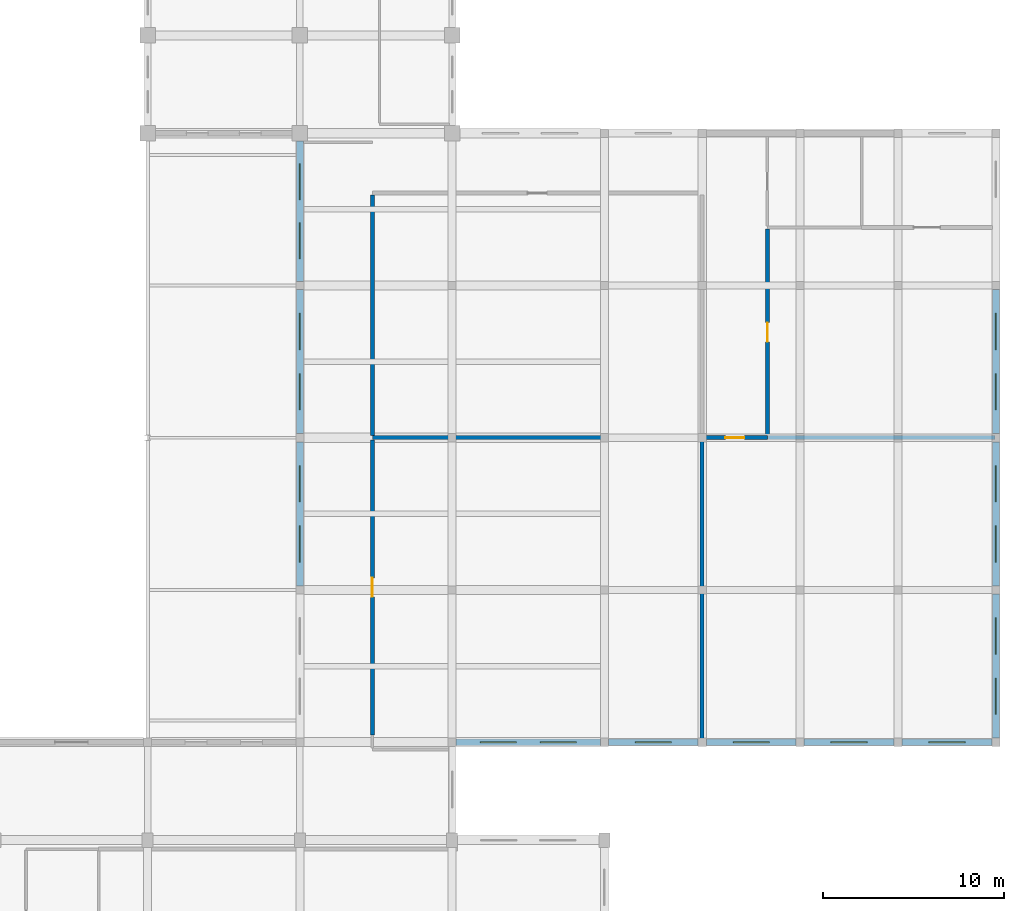
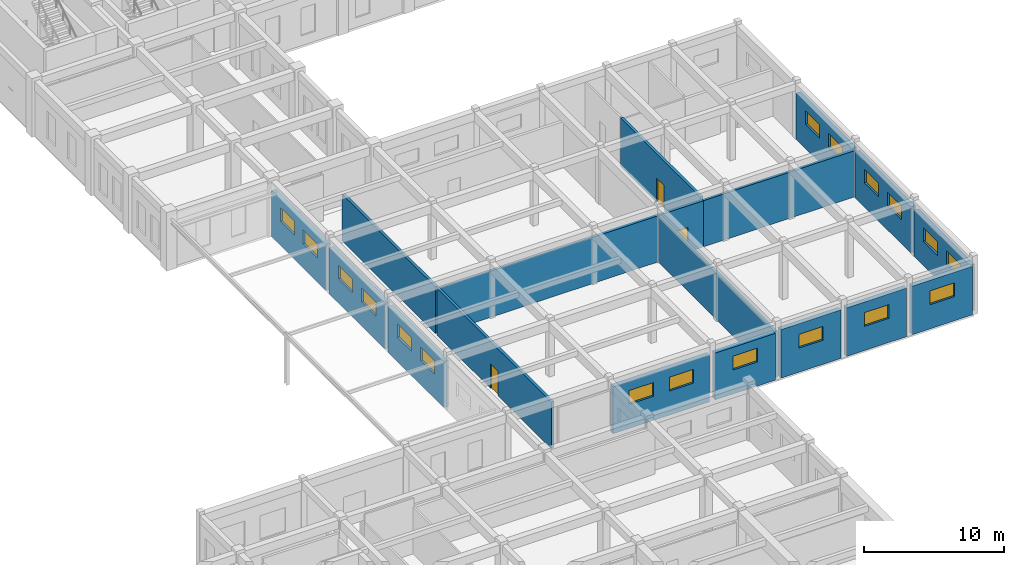
# One storey, part 66 of 80: 18 walls, 18 windows, 3 doors, 21 openings.
"""IFC4 building model written with IfcOpenShell, lengths in metres."""

from ifc_helpers import new_model, si_unit, direction, frame, frame_2d, origin, place, context, subcontext, project, spatial, rectangle, extrude, material, layer, layer_set, type_object, element, fill, save


model = new_model("IFC4")

# Units and contexts
model_context = context("Model", 3, precision=1e-05, world=origin(), true_north=direction((0.0, 1.0)))
body_context = subcontext(model_context, "Body", "Model", "MODEL_VIEW")
ifc_project = project(units=[si_unit("LENGTHUNIT", "METRE"), si_unit("AREAUNIT", "SQUARE_METRE"), si_unit("VOLUMEUNIT", "CUBIC_METRE"), si_unit("PLANEANGLEUNIT", "RADIAN"), si_unit("MASSUNIT", "GRAM", prefix="KILO")], contexts=[model_context])

# Site, building, storey
site_placement = place(None, origin())
site = spatial("IfcSite", under=ifc_project, at=site_placement, CompositionType="ELEMENT")
building_placement = place(site_placement, origin())
building = spatial("IfcBuilding", under=site, at=building_placement, Name="Krzemoval Escarpment Law Courts", CompositionType="ELEMENT")
storey_placement = place(building_placement, origin())
storey = spatial("IfcBuildingStorey", under=building, at=storey_placement, Name="L00", CompositionType="ELEMENT", Elevation=0.0)

# Wall, openings, windows
ifc_material_1 = material(Name="Concrete C40/50", Category="concrete")
ifc_layer_1 = layer(ifc_material_1, 0.3798828125)
ifc_layer_set_1 = layer_set([ifc_layer_1], Name="Concrete C40/50")
wall_type_1 = type_object("IfcWallType", Name="WL-EXT-380", PredefinedType="SOLIDWALL", material=ifc_layer_set_1)
wall_1_placement = place(storey_placement, frame((172.800048828125, 65.77490234375, 0.0), z_axis=(0.0, 0.0, 1.0), x_axis=(0.0, -1.0, 0.0)))
wall_1 = element("IfcWall", 1, at=wall_1_placement, inside=storey, type_object=wall_type_1, Name="Exterior Wall EW-L00-0115", PredefinedType="SOLIDWALL", context=body_context, shape_type="SweptSolid", body=[
    extrude(rectangle(XDim=7.949951171875, YDim=0.3798828125, at=frame_2d((3.97509765625, 0.0))), origin(), (0.0, 0.0, 1.0), 4.02001953125),
])
opening_1_placement = place(wall_1_placement, frame((1.31689453125, 0.0, 2.10009765625)))
opening_1 = element("IfcOpeningElement", 2, at=opening_1_placement, cuts=wall_1, Name="Opening WN-L00-0061", PredefinedType="OPENING", context=body_context, shape_type="SweptSolid", body=[
    extrude(rectangle(XDim=2.0, YDim=1.199951171875, at=frame_2d((1.0, 0.60009765625))), frame((0.0, 0.20494, 0.0), z_axis=(0.0, -1.0, 0.0), x_axis=(1.0, 0.0, 0.0)), (0.0, 0.0, 1.0), 0.40988),
])
opening_2_placement = place(wall_1_placement, frame((4.633056640625, 0.0, 2.10009765625)))
opening_2 = element("IfcOpeningElement", 3, at=opening_2_placement, cuts=wall_1, Name="Opening WN-L00-0062", PredefinedType="OPENING", context=body_context, shape_type="SweptSolid", body=[
    extrude(rectangle(XDim=2.0, YDim=1.199951171875, at=frame_2d((1.0, 0.60009765625))), frame((0.0, 0.20494, 0.0), z_axis=(0.0, -1.0, 0.0), x_axis=(1.0, 0.0, 0.0)), (0.0, 0.0, 1.0), 0.40988),
])
ifc_material_2 = material(Name="Thermally Broken Aluminium Frame with Triple Low-E Acoustic Glass", Category="aluminium")
window_type = type_object("IfcWindowType", Name="WN-2000x1200", PartitioningType="SINGLE_PANEL", PredefinedType="WINDOW", material=ifc_material_2)
window_1_placement = place(opening_1_placement, origin())
window_1 = element("IfcWindow", 4, at=window_1_placement, inside=storey, type_object=window_type, Name="Facade Window WN-L00-0061", OverallHeight=1.199951171875, OverallWidth=2.0, PartitioningType="SINGLE_PANEL", PredefinedType="WINDOW", context=body_context, shape_type="SweptSolid", body=[
    extrude(rectangle(XDim=2.0, YDim=1.199951171875, at=frame_2d((1.0, 0.60009765625))), frame((0.0, 0.030029296875, 0.0), z_axis=(0.0, -1.0, 0.0), x_axis=(1.0, 0.0, 0.0)), (0.0, 0.0, 1.0), 0.06005859375),
])
fill(opening_1, window_1)
window_2_placement = place(opening_2_placement, origin())
window_2 = element("IfcWindow", 5, at=window_2_placement, inside=storey, type_object=window_type, Name="Facade Window WN-L00-0062", OverallHeight=1.199951171875, OverallWidth=2.0, PartitioningType="SINGLE_PANEL", PredefinedType="WINDOW", context=body_context, shape_type="SweptSolid", body=[
    extrude(rectangle(XDim=2.0, YDim=1.199951171875, at=frame_2d((1.0, 0.60009765625))), frame((0.0, 0.030029296875, 0.0), z_axis=(0.0, -1.0, 0.0), x_axis=(1.0, 0.0, 0.0)), (0.0, 0.0, 1.0), 0.06005859375),
])
fill(opening_2, window_2)

wall_2_placement = place(storey_placement, frame((172.800048828125, 57.375, 0.0), z_axis=(0.0, 0.0, 1.0), x_axis=(0.0, -1.0, 0.0)))
wall_2 = element("IfcWall", 6, at=wall_2_placement, inside=storey, type_object=wall_type_1, Name="Exterior Wall EW-L00-0116", PredefinedType="SOLIDWALL", context=body_context, shape_type="SweptSolid", body=[
    extrude(rectangle(XDim=7.949951171875, YDim=0.3798828125, at=frame_2d((3.97509765625, 0.0))), origin(), (0.0, 0.0, 1.0), 4.02001953125),
])
opening_3_placement = place(wall_2_placement, frame((1.31689453125, 0.0, 2.10009765625)))
opening_3 = element("IfcOpeningElement", 7, at=opening_3_placement, cuts=wall_2, Name="Opening WN-L00-0063", PredefinedType="OPENING", context=body_context, shape_type="SweptSolid", body=[
    extrude(rectangle(XDim=2.0, YDim=1.199951171875, at=frame_2d((1.0, 0.60009765625))), frame((0.0, 0.20494, 0.0), z_axis=(0.0, -1.0, 0.0), x_axis=(1.0, 0.0, 0.0)), (0.0, 0.0, 1.0), 0.40988),
])
opening_4_placement = place(wall_2_placement, frame((4.633056640625, 0.0, 2.10009765625)))
opening_4 = element("IfcOpeningElement", 8, at=opening_4_placement, cuts=wall_2, Name="Opening WN-L00-0064", PredefinedType="OPENING", context=body_context, shape_type="SweptSolid", body=[
    extrude(rectangle(XDim=2.0, YDim=1.199951171875, at=frame_2d((1.0, 0.60009765625))), frame((0.0, 0.20494, 0.0), z_axis=(0.0, -1.0, 0.0), x_axis=(1.0, 0.0, 0.0)), (0.0, 0.0, 1.0), 0.40988),
])
window_3_placement = place(opening_3_placement, origin())
window_3 = element("IfcWindow", 9, at=window_3_placement, inside=storey, type_object=window_type, Name="Facade Window WN-L00-0063", OverallHeight=1.199951171875, OverallWidth=2.0, PartitioningType="SINGLE_PANEL", PredefinedType="WINDOW", context=body_context, shape_type="SweptSolid", body=[
    extrude(rectangle(XDim=2.0, YDim=1.199951171875, at=frame_2d((1.0, 0.60009765625))), frame((0.0, 0.030029296875, 0.0), z_axis=(0.0, -1.0, 0.0), x_axis=(1.0, 0.0, 0.0)), (0.0, 0.0, 1.0), 0.06005859375),
])
fill(opening_3, window_3)
window_4_placement = place(opening_4_placement, origin())
window_4 = element("IfcWindow", 10, at=window_4_placement, inside=storey, type_object=window_type, Name="Facade Window WN-L00-0064", OverallHeight=1.199951171875, OverallWidth=2.0, PartitioningType="SINGLE_PANEL", PredefinedType="WINDOW", context=body_context, shape_type="SweptSolid", body=[
    extrude(rectangle(XDim=2.0, YDim=1.199951171875, at=frame_2d((1.0, 0.60009765625))), frame((0.0, 0.030029296875, 0.0), z_axis=(0.0, -1.0, 0.0), x_axis=(1.0, 0.0, 0.0)), (0.0, 0.0, 1.0), 0.06005859375),
])
fill(opening_4, window_4)

wall_3_placement = place(storey_placement, frame((172.800048828125, 48.97509765625, 0.0), z_axis=(0.0, 0.0, 1.0), x_axis=(0.0, -1.0, 0.0)))
wall_3 = element("IfcWall", 11, at=wall_3_placement, inside=storey, type_object=wall_type_1, Name="Exterior Wall EW-L00-0117", PredefinedType="SOLIDWALL", context=body_context, shape_type="SweptSolid", body=[
    extrude(rectangle(XDim=7.9501953125, YDim=0.3798828125, at=frame_2d((3.97509765625, 0.0))), origin(), (0.0, 0.0, 1.0), 4.02001953125),
])
opening_5_placement = place(wall_3_placement, frame((1.31689453125, 0.0, 2.10009765625)))
opening_5 = element("IfcOpeningElement", 12, at=opening_5_placement, cuts=wall_3, Name="Opening WN-L00-0065", PredefinedType="OPENING", context=body_context, shape_type="SweptSolid", body=[
    extrude(rectangle(XDim=2.0, YDim=1.199951171875, at=frame_2d((1.0, 0.60009765625))), frame((0.0, 0.20494, 0.0), z_axis=(0.0, -1.0, 0.0), x_axis=(1.0, 0.0, 0.0)), (0.0, 0.0, 1.0), 0.40988),
])
opening_6_placement = place(wall_3_placement, frame((4.633056640625, 0.0, 2.10009765625)))
opening_6 = element("IfcOpeningElement", 13, at=opening_6_placement, cuts=wall_3, Name="Opening WN-L00-0066", PredefinedType="OPENING", context=body_context, shape_type="SweptSolid", body=[
    extrude(rectangle(XDim=2.0, YDim=1.199951171875, at=frame_2d((1.0, 0.60009765625))), frame((0.0, 0.20494, 0.0), z_axis=(0.0, -1.0, 0.0), x_axis=(1.0, 0.0, 0.0)), (0.0, 0.0, 1.0), 0.40988),
])
window_5_placement = place(opening_5_placement, origin())
window_5 = element("IfcWindow", 14, at=window_5_placement, inside=storey, type_object=window_type, Name="Facade Window WN-L00-0065", OverallHeight=1.199951171875, OverallWidth=2.0, PartitioningType="SINGLE_PANEL", PredefinedType="WINDOW", context=body_context, shape_type="SweptSolid", body=[
    extrude(rectangle(XDim=2.0, YDim=1.199951171875, at=frame_2d((1.0, 0.60009765625))), frame((0.0, 0.030029296875, 0.0), z_axis=(0.0, -1.0, 0.0), x_axis=(1.0, 0.0, 0.0)), (0.0, 0.0, 1.0), 0.06005859375),
])
fill(opening_5, window_5)
window_6_placement = place(opening_6_placement, origin())
window_6 = element("IfcWindow", 15, at=window_6_placement, inside=storey, type_object=window_type, Name="Facade Window WN-L00-0066", OverallHeight=1.199951171875, OverallWidth=2.0, PartitioningType="SINGLE_PANEL", PredefinedType="WINDOW", context=body_context, shape_type="SweptSolid", body=[
    extrude(rectangle(XDim=2.0, YDim=1.199951171875, at=frame_2d((1.0, 0.60009765625))), frame((0.0, 0.030029296875, 0.0), z_axis=(0.0, -1.0, 0.0), x_axis=(1.0, 0.0, 0.0)), (0.0, 0.0, 1.0), 0.06005859375),
])
fill(opening_6, window_6)

# Wall, opening, window
wall_4_placement = place(storey_placement, frame((172.574951171875, 40.800048828125, 0.0), z_axis=(0.0, 0.0, 1.0), x_axis=(-1.0, 0.0, 0.0)))
wall_4 = element("IfcWall", 16, at=wall_4_placement, inside=storey, type_object=wall_type_1, Name="Exterior Wall EW-L00-0118", PredefinedType="SOLIDWALL", context=body_context, shape_type="SweptSolid", body=[
    extrude(rectangle(XDim=4.949951171875, YDim=0.3798828125, at=frame_2d((2.47509765625, 0.0))), origin(), (0.0, 0.0, 1.0), 4.219970703125),
])
opening_7_placement = place(wall_4_placement, frame((1.47509765625, 0.0, 2.10009765625)))
opening_7 = element("IfcOpeningElement", 17, at=opening_7_placement, cuts=wall_4, Name="Opening WN-L00-0067", PredefinedType="OPENING", context=body_context, shape_type="SweptSolid", body=[
    extrude(rectangle(XDim=2.0, YDim=1.199951171875, at=frame_2d((1.0, 0.60009765625))), frame((0.0, 0.20494, 0.0), z_axis=(0.0, -1.0, 0.0), x_axis=(1.0, 0.0, 0.0)), (0.0, 0.0, 1.0), 0.40988),
])
window_7_placement = place(opening_7_placement, origin())
window_7 = element("IfcWindow", 18, at=window_7_placement, inside=storey, type_object=window_type, Name="Facade Window WN-L00-0067", OverallHeight=1.199951171875, OverallWidth=2.0, PartitioningType="SINGLE_PANEL", PredefinedType="WINDOW", context=body_context, shape_type="SweptSolid", body=[
    extrude(rectangle(XDim=2.0, YDim=1.199951171875, at=frame_2d((1.0, 0.60009765625))), frame((0.0, 0.030029296875, 0.0), z_axis=(0.0, -1.0, 0.0), x_axis=(1.0, 0.0, 0.0)), (0.0, 0.0, 1.0), 0.06005859375),
])
fill(opening_7, window_7)

wall_5_placement = place(storey_placement, frame((167.175048828125, 40.800048828125, 0.0), z_axis=(0.0, 0.0, 1.0), x_axis=(-1.0, 0.0, 0.0)))
wall_5 = element("IfcWall", 19, at=wall_5_placement, inside=storey, type_object=wall_type_1, Name="Exterior Wall EW-L00-0119", PredefinedType="SOLIDWALL", context=body_context, shape_type="SweptSolid", body=[
    extrude(rectangle(XDim=4.949951171875, YDim=0.3798828125, at=frame_2d((2.47509765625, 0.0))), origin(), (0.0, 0.0, 1.0), 4.219970703125),
])
opening_8_placement = place(wall_5_placement, frame((1.47509765625, 0.0, 2.10009765625)))
opening_8 = element("IfcOpeningElement", 20, at=opening_8_placement, cuts=wall_5, Name="Opening WN-L00-0068", PredefinedType="OPENING", context=body_context, shape_type="SweptSolid", body=[
    extrude(rectangle(XDim=2.0, YDim=1.199951171875, at=frame_2d((1.0, 0.60009765625))), frame((0.0, 0.20494, 0.0), z_axis=(0.0, -1.0, 0.0), x_axis=(1.0, 0.0, 0.0)), (0.0, 0.0, 1.0), 0.40988),
])
window_8_placement = place(opening_8_placement, origin())
window_8 = element("IfcWindow", 21, at=window_8_placement, inside=storey, type_object=window_type, Name="Facade Window WN-L00-0068", OverallHeight=1.199951171875, OverallWidth=2.0, PartitioningType="SINGLE_PANEL", PredefinedType="WINDOW", context=body_context, shape_type="SweptSolid", body=[
    extrude(rectangle(XDim=2.0, YDim=1.199951171875, at=frame_2d((1.0, 0.60009765625))), frame((0.0, 0.030029296875, 0.0), z_axis=(0.0, -1.0, 0.0), x_axis=(1.0, 0.0, 0.0)), (0.0, 0.0, 1.0), 0.06005859375),
])
fill(opening_8, window_8)

wall_6_placement = place(storey_placement, frame((161.77490234375, 40.800048828125, 0.0), z_axis=(0.0, 0.0, 1.0), x_axis=(-1.0, 0.0, 0.0)))
wall_6 = element("IfcWall", 22, at=wall_6_placement, inside=storey, type_object=wall_type_1, Name="Exterior Wall EW-L00-0120", PredefinedType="SOLIDWALL", context=body_context, shape_type="SweptSolid", body=[
    extrude(rectangle(XDim=4.949951171875, YDim=0.3798828125, at=frame_2d((2.47509765625, 0.0))), origin(), (0.0, 0.0, 1.0), 4.219970703125),
])
opening_9_placement = place(wall_6_placement, frame((1.47509765625, 0.0, 2.10009765625)))
opening_9 = element("IfcOpeningElement", 23, at=opening_9_placement, cuts=wall_6, Name="Opening WN-L00-0069", PredefinedType="OPENING", context=body_context, shape_type="SweptSolid", body=[
    extrude(rectangle(XDim=2.0, YDim=1.199951171875, at=frame_2d((1.0, 0.60009765625))), frame((0.0, 0.20494, 0.0), z_axis=(0.0, -1.0, 0.0), x_axis=(1.0, 0.0, 0.0)), (0.0, 0.0, 1.0), 0.40988),
])
window_9_placement = place(opening_9_placement, origin())
window_9 = element("IfcWindow", 24, at=window_9_placement, inside=storey, type_object=window_type, Name="Facade Window WN-L00-0069", OverallHeight=1.199951171875, OverallWidth=2.0, PartitioningType="SINGLE_PANEL", PredefinedType="WINDOW", context=body_context, shape_type="SweptSolid", body=[
    extrude(rectangle(XDim=2.0, YDim=1.199951171875, at=frame_2d((1.0, 0.60009765625))), frame((0.0, 0.030029296875, 0.0), z_axis=(0.0, -1.0, 0.0), x_axis=(1.0, 0.0, 0.0)), (0.0, 0.0, 1.0), 0.06005859375),
])
fill(opening_9, window_9)

wall_7_placement = place(storey_placement, frame((156.375, 40.800048828125, 0.0), z_axis=(0.0, 0.0, 1.0), x_axis=(-1.0, 0.0, 0.0)))
wall_7 = element("IfcWall", 25, at=wall_7_placement, inside=storey, type_object=wall_type_1, Name="Exterior Wall EW-L00-0121", PredefinedType="SOLIDWALL", context=body_context, shape_type="SweptSolid", body=[
    extrude(rectangle(XDim=4.949951171875, YDim=0.3798828125, at=frame_2d((2.47509765625, 0.0))), origin(), (0.0, 0.0, 1.0), 4.070068359375),
])
opening_10_placement = place(wall_7_placement, frame((1.47509765625, 0.0, 2.10009765625)))
opening_10 = element("IfcOpeningElement", 26, at=opening_10_placement, cuts=wall_7, Name="Opening WN-L00-0070", PredefinedType="OPENING", context=body_context, shape_type="SweptSolid", body=[
    extrude(rectangle(XDim=2.0, YDim=1.199951171875, at=frame_2d((1.0, 0.60009765625))), frame((0.0, 0.20494, 0.0), z_axis=(0.0, -1.0, 0.0), x_axis=(1.0, 0.0, 0.0)), (0.0, 0.0, 1.0), 0.40988),
])
window_10_placement = place(opening_10_placement, origin())
window_10 = element("IfcWindow", 27, at=window_10_placement, inside=storey, type_object=window_type, Name="Facade Window WN-L00-0070", OverallHeight=1.199951171875, OverallWidth=2.0, PartitioningType="SINGLE_PANEL", PredefinedType="WINDOW", context=body_context, shape_type="SweptSolid", body=[
    extrude(rectangle(XDim=2.0, YDim=1.199951171875, at=frame_2d((1.0, 0.60009765625))), frame((0.0, 0.030029296875, 0.0), z_axis=(0.0, -1.0, 0.0), x_axis=(1.0, 0.0, 0.0)), (0.0, 0.0, 1.0), 0.06005859375),
])
fill(opening_10, window_10)

# Wall, openings, windows
wall_8_placement = place(storey_placement, frame((150.97509765625, 40.800048828125, 0.0), z_axis=(0.0, 0.0, 1.0), x_axis=(-1.0, 0.0, 0.0)))
wall_8 = element("IfcWall", 28, at=wall_8_placement, inside=storey, type_object=wall_type_1, Name="Exterior Wall EW-L00-0122", PredefinedType="SOLIDWALL", context=body_context, shape_type="SweptSolid", body=[
    extrude(rectangle(XDim=7.9501953125, YDim=0.3798828125, at=frame_2d((3.97509765625, 0.0))), origin(), (0.0, 0.0, 1.0), 4.070068359375),
])
opening_11_placement = place(wall_8_placement, frame((1.31689453125, 0.0, 2.10009765625)))
opening_11 = element("IfcOpeningElement", 29, at=opening_11_placement, cuts=wall_8, Name="Opening WN-L00-0071", PredefinedType="OPENING", context=body_context, shape_type="SweptSolid", body=[
    extrude(rectangle(XDim=2.0, YDim=1.199951171875, at=frame_2d((1.0, 0.60009765625))), frame((0.0, 0.20494, 0.0), z_axis=(0.0, -1.0, 0.0), x_axis=(1.0, 0.0, 0.0)), (0.0, 0.0, 1.0), 0.40988),
])
opening_12_placement = place(wall_8_placement, frame((4.633056640625, 0.0, 2.10009765625)))
opening_12 = element("IfcOpeningElement", 30, at=opening_12_placement, cuts=wall_8, Name="Opening WN-L00-0072", PredefinedType="OPENING", context=body_context, shape_type="SweptSolid", body=[
    extrude(rectangle(XDim=2.0, YDim=1.199951171875, at=frame_2d((1.0, 0.60009765625))), frame((0.0, 0.20494, 0.0), z_axis=(0.0, -1.0, 0.0), x_axis=(1.0, 0.0, 0.0)), (0.0, 0.0, 1.0), 0.40988),
])
window_11_placement = place(opening_11_placement, origin())
window_11 = element("IfcWindow", 31, at=window_11_placement, inside=storey, type_object=window_type, Name="Facade Window WN-L00-0071", OverallHeight=1.199951171875, OverallWidth=2.0, PartitioningType="SINGLE_PANEL", PredefinedType="WINDOW", context=body_context, shape_type="SweptSolid", body=[
    extrude(rectangle(XDim=2.0, YDim=1.199951171875, at=frame_2d((1.0, 0.60009765625))), frame((0.0, 0.030029296875, 0.0), z_axis=(0.0, -1.0, 0.0), x_axis=(1.0, 0.0, 0.0)), (0.0, 0.0, 1.0), 0.06005859375),
])
fill(opening_11, window_11)
window_12_placement = place(opening_12_placement, origin())
window_12 = element("IfcWindow", 32, at=window_12_placement, inside=storey, type_object=window_type, Name="Facade Window WN-L00-0072", OverallHeight=1.199951171875, OverallWidth=2.0, PartitioningType="SINGLE_PANEL", PredefinedType="WINDOW", context=body_context, shape_type="SweptSolid", body=[
    extrude(rectangle(XDim=2.0, YDim=1.199951171875, at=frame_2d((1.0, 0.60009765625))), frame((0.0, 0.030029296875, 0.0), z_axis=(0.0, -1.0, 0.0), x_axis=(1.0, 0.0, 0.0)), (0.0, 0.0, 1.0), 0.06005859375),
])
fill(opening_12, window_12)

wall_9_placement = place(storey_placement, frame((134.39990234375, 49.425048828125, 0.0), z_axis=(0.0, 0.0, 1.0), x_axis=(0.0, 1.0, 0.0)))
wall_9 = element("IfcWall", 33, at=wall_9_placement, inside=storey, type_object=wall_type_1, Name="Exterior Wall EW-L00-0157", PredefinedType="SOLIDWALL", context=body_context, shape_type="SweptSolid", body=[
    extrude(rectangle(XDim=7.949951171875, YDim=0.3798828125, at=frame_2d((3.97509765625, 0.0))), origin(), (0.0, 0.0, 1.0), 4.02001953125),
])
opening_13_placement = place(wall_9_placement, frame((1.31689453125, 0.0, 2.10009765625)))
opening_13 = element("IfcOpeningElement", 34, at=opening_13_placement, cuts=wall_9, Name="Opening WN-L00-0118", PredefinedType="OPENING", context=body_context, shape_type="SweptSolid", body=[
    extrude(rectangle(XDim=2.0, YDim=1.199951171875, at=frame_2d((1.0, 0.60009765625))), frame((0.0, 0.20494, 0.0), z_axis=(0.0, -1.0, 0.0), x_axis=(1.0, 0.0, 0.0)), (0.0, 0.0, 1.0), 0.40988),
])
opening_14_placement = place(wall_9_placement, frame((4.633056640625, 0.0, 2.10009765625)))
opening_14 = element("IfcOpeningElement", 35, at=opening_14_placement, cuts=wall_9, Name="Opening WN-L00-0119", PredefinedType="OPENING", context=body_context, shape_type="SweptSolid", body=[
    extrude(rectangle(XDim=2.0, YDim=1.199951171875, at=frame_2d((1.0, 0.60009765625))), frame((0.0, 0.20494, 0.0), z_axis=(0.0, -1.0, 0.0), x_axis=(1.0, 0.0, 0.0)), (0.0, 0.0, 1.0), 0.40988),
])
window_13_placement = place(opening_13_placement, origin())
window_13 = element("IfcWindow", 36, at=window_13_placement, inside=storey, type_object=window_type, Name="Facade Window WN-L00-0118", OverallHeight=1.199951171875, OverallWidth=2.0, PartitioningType="SINGLE_PANEL", PredefinedType="WINDOW", context=body_context, shape_type="SweptSolid", body=[
    extrude(rectangle(XDim=2.0, YDim=1.199951171875, at=frame_2d((1.0, 0.60009765625))), frame((0.0, 0.030029296875, 0.0), z_axis=(0.0, -1.0, 0.0), x_axis=(1.0, 0.0, 0.0)), (0.0, 0.0, 1.0), 0.06005859375),
])
fill(opening_13, window_13)
window_14_placement = place(opening_14_placement, origin())
window_14 = element("IfcWindow", 37, at=window_14_placement, inside=storey, type_object=window_type, Name="Facade Window WN-L00-0119", OverallHeight=1.199951171875, OverallWidth=2.0, PartitioningType="SINGLE_PANEL", PredefinedType="WINDOW", context=body_context, shape_type="SweptSolid", body=[
    extrude(rectangle(XDim=2.0, YDim=1.199951171875, at=frame_2d((1.0, 0.60009765625))), frame((0.0, 0.030029296875, 0.0), z_axis=(0.0, -1.0, 0.0), x_axis=(1.0, 0.0, 0.0)), (0.0, 0.0, 1.0), 0.06005859375),
])
fill(opening_14, window_14)

wall_10_placement = place(storey_placement, frame((134.39990234375, 57.824951171875, 0.0), z_axis=(0.0, 0.0, 1.0), x_axis=(0.0, 1.0, 0.0)))
wall_10 = element("IfcWall", 38, at=wall_10_placement, inside=storey, type_object=wall_type_1, Name="Exterior Wall EW-L00-0158", PredefinedType="SOLIDWALL", context=body_context, shape_type="SweptSolid", body=[
    extrude(rectangle(XDim=7.949951171875, YDim=0.3798828125, at=frame_2d((3.97509765625, 0.0))), origin(), (0.0, 0.0, 1.0), 4.02001953125),
])
opening_15_placement = place(wall_10_placement, frame((1.31689453125, 0.0, 2.10009765625)))
opening_15 = element("IfcOpeningElement", 39, at=opening_15_placement, cuts=wall_10, Name="Opening WN-L00-0120", PredefinedType="OPENING", context=body_context, shape_type="SweptSolid", body=[
    extrude(rectangle(XDim=2.0, YDim=1.199951171875, at=frame_2d((1.0, 0.60009765625))), frame((0.0, 0.20494, 0.0), z_axis=(0.0, -1.0, 0.0), x_axis=(1.0, 0.0, 0.0)), (0.0, 0.0, 1.0), 0.40988),
])
opening_16_placement = place(wall_10_placement, frame((4.633056640625, 0.0, 2.10009765625)))
opening_16 = element("IfcOpeningElement", 40, at=opening_16_placement, cuts=wall_10, Name="Opening WN-L00-0121", PredefinedType="OPENING", context=body_context, shape_type="SweptSolid", body=[
    extrude(rectangle(XDim=2.0, YDim=1.199951171875, at=frame_2d((1.0, 0.60009765625))), frame((0.0, 0.20494, 0.0), z_axis=(0.0, -1.0, 0.0), x_axis=(1.0, 0.0, 0.0)), (0.0, 0.0, 1.0), 0.40988),
])
window_15_placement = place(opening_15_placement, origin())
window_15 = element("IfcWindow", 41, at=window_15_placement, inside=storey, type_object=window_type, Name="Facade Window WN-L00-0120", OverallHeight=1.199951171875, OverallWidth=2.0, PartitioningType="SINGLE_PANEL", PredefinedType="WINDOW", context=body_context, shape_type="SweptSolid", body=[
    extrude(rectangle(XDim=2.0, YDim=1.199951171875, at=frame_2d((1.0, 0.60009765625))), frame((0.0, 0.030029296875, 0.0), z_axis=(0.0, -1.0, 0.0), x_axis=(1.0, 0.0, 0.0)), (0.0, 0.0, 1.0), 0.06005859375),
])
fill(opening_15, window_15)
window_16_placement = place(opening_16_placement, origin())
window_16 = element("IfcWindow", 42, at=window_16_placement, inside=storey, type_object=window_type, Name="Facade Window WN-L00-0121", OverallHeight=1.199951171875, OverallWidth=2.0, PartitioningType="SINGLE_PANEL", PredefinedType="WINDOW", context=body_context, shape_type="SweptSolid", body=[
    extrude(rectangle(XDim=2.0, YDim=1.199951171875, at=frame_2d((1.0, 0.60009765625))), frame((0.0, 0.030029296875, 0.0), z_axis=(0.0, -1.0, 0.0), x_axis=(1.0, 0.0, 0.0)), (0.0, 0.0, 1.0), 0.06005859375),
])
fill(opening_16, window_16)

wall_11_placement = place(storey_placement, frame((134.39990234375, 66.22509765625, 0.0), z_axis=(0.0, 0.0, 1.0), x_axis=(0.0, 1.0, 0.0)))
wall_11 = element("IfcWall", 43, at=wall_11_placement, inside=storey, type_object=wall_type_1, Name="Exterior Wall EW-L00-0159", PredefinedType="SOLIDWALL", context=body_context, shape_type="SweptSolid", body=[
    extrude(rectangle(XDim=7.75, YDim=0.3798828125, at=frame_2d((3.875, 0.0))), origin(), (0.0, 0.0, 1.0), 4.02001953125),
])
opening_17_placement = place(wall_11_placement, frame((1.25, 0.0, 2.10009765625)))
opening_17 = element("IfcOpeningElement", 44, at=opening_17_placement, cuts=wall_11, Name="Opening WN-L00-0122", PredefinedType="OPENING", context=body_context, shape_type="SweptSolid", body=[
    extrude(rectangle(XDim=2.0, YDim=1.199951171875, at=frame_2d((1.0, 0.60009765625))), frame((0.0, 0.20494, 0.0), z_axis=(0.0, -1.0, 0.0), x_axis=(1.0, 0.0, 0.0)), (0.0, 0.0, 1.0), 0.40988),
])
opening_18_placement = place(wall_11_placement, frame((4.5, 0.0, 2.10009765625)))
opening_18 = element("IfcOpeningElement", 45, at=opening_18_placement, cuts=wall_11, Name="Opening WN-L00-0123", PredefinedType="OPENING", context=body_context, shape_type="SweptSolid", body=[
    extrude(rectangle(XDim=2.0, YDim=1.199951171875, at=frame_2d((1.0, 0.60009765625))), frame((0.0, 0.20494, 0.0), z_axis=(0.0, -1.0, 0.0), x_axis=(1.0, 0.0, 0.0)), (0.0, 0.0, 1.0), 0.40988),
])
window_17_placement = place(opening_17_placement, origin())
window_17 = element("IfcWindow", 46, at=window_17_placement, inside=storey, type_object=window_type, Name="Facade Window WN-L00-0122", OverallHeight=1.199951171875, OverallWidth=2.0, PartitioningType="SINGLE_PANEL", PredefinedType="WINDOW", context=body_context, shape_type="SweptSolid", body=[
    extrude(rectangle(XDim=2.0, YDim=1.199951171875, at=frame_2d((1.0, 0.60009765625))), frame((0.0, 0.030029296875, 0.0), z_axis=(0.0, -1.0, 0.0), x_axis=(1.0, 0.0, 0.0)), (0.0, 0.0, 1.0), 0.06005859375),
])
fill(opening_17, window_17)
window_18_placement = place(opening_18_placement, origin())
window_18 = element("IfcWindow", 47, at=window_18_placement, inside=storey, type_object=window_type, Name="Facade Window WN-L00-0123", OverallHeight=1.199951171875, OverallWidth=2.0, PartitioningType="SINGLE_PANEL", PredefinedType="WINDOW", context=body_context, shape_type="SweptSolid", body=[
    extrude(rectangle(XDim=2.0, YDim=1.199951171875, at=frame_2d((1.0, 0.60009765625))), frame((0.0, 0.030029296875, 0.0), z_axis=(0.0, -1.0, 0.0), x_axis=(1.0, 0.0, 0.0)), (0.0, 0.0, 1.0), 0.06005859375),
])
fill(opening_18, window_18)

# Wall
ifc_material_3 = material(Name="Solid Calcium-Silicate Custody Blockwork Partition", Category="masonry")
ifc_layer_2 = layer(ifc_material_3, 0.219970703125)
ifc_layer_set_2 = layer_set([ifc_layer_2], Name="Solid Calcium-Silicate Custody Blockwork Partition")
wall_type_2 = type_object("IfcWallType", Name="WL-PRT-220", PredefinedType="PARTITIONING", material=ifc_layer_set_2)
wall_12_placement = place(storey_placement, frame((138.39990234375, 57.60009765625, 0.0), z_axis=(0.0, 0.0, 1.0), x_axis=(1.0, 0.0, 0.0)))
element("IfcWall", 48, at=wall_12_placement, inside=storey, type_object=wall_type_2, Name="Interior Partition PW-L00-0127", PredefinedType="PARTITIONING", context=body_context, shape_type="SweptSolid", body=[
    extrude(rectangle(XDim=18.2001953125, YDim=0.219970703125, at=frame_2d((9.10009765625, 0.0))), origin(), (0.0, 0.0, 1.0), 4.02001953125),
])

# Wall, opening, door
wall_13_placement = place(storey_placement, frame((156.60009765625, 57.60009765625, 0.0), z_axis=(0.0, 0.0, 1.0), x_axis=(1.0, 0.0, 0.0)))
wall_13 = element("IfcWall", 49, at=wall_13_placement, inside=storey, type_object=wall_type_2, Name="Interior Partition PW-L00-0128", PredefinedType="PARTITIONING", context=body_context, shape_type="SweptSolid", body=[
    extrude(rectangle(XDim=3.599853515625, YDim=0.219970703125, at=frame_2d((1.7998046875, 0.0))), origin(), (0.0, 0.0, 1.0), 4.02001953125),
])
opening_19_placement = place(wall_13_placement, frame((1.27490234375, 0.0, 0.0)))
opening_19 = element("IfcOpeningElement", 50, at=opening_19_placement, cuts=wall_13, Name="Opening D-L00-0071", PredefinedType="OPENING", context=body_context, shape_type="SweptSolid", body=[
    extrude(rectangle(XDim=1.050048828125, YDim=2.14990234375, at=frame_2d((0.52490234375, 1.074951171875))), frame((0.0, 0.12499, 0.0), z_axis=(0.0, -1.0, 0.0), x_axis=(1.0, 0.0, 0.0)), (0.0, 0.0, 1.0), 0.24997),
])
ifc_material_4 = material(Name="Galvanised Steel S355", Category="steel")
door_type_1 = type_object("IfcDoorType", Name="DR-CUS-1050x2150", OperationType="SINGLE_SWING_LEFT", PredefinedType="DOOR", material=ifc_material_4)
door_1_placement = place(opening_19_placement, origin())
door_1 = element("IfcDoor", 51, at=door_1_placement, inside=storey, type_object=door_type_1, Name="Room Door D-L00-0071", OperationType="SINGLE_SWING_RIGHT", OverallHeight=2.14990234375, OverallWidth=1.050048828125, PredefinedType="DOOR", context=body_context, shape_type="SweptSolid", body=[
    extrude(rectangle(XDim=1.050048828125, YDim=2.14990234375, at=frame_2d((0.52490234375, 1.074951171875))), frame((0.0, 0.02490234375, 0.0), z_axis=(0.0, -1.0, 0.0), x_axis=(1.0, 0.0, 0.0)), (0.0, 0.0, 1.0), 0.050048828125),
])
fill(opening_19, door_1)

# Wall
wall_14_placement = place(storey_placement, frame((160.199951171875, 57.60009765625, 0.0), z_axis=(0.0, 0.0, 1.0), x_axis=(1.0, 0.0, 0.0)))
element("IfcWall", 52, at=wall_14_placement, inside=storey, type_object=wall_type_2, Name="Interior Partition PW-L00-0129", PredefinedType="PARTITIONING", context=body_context, shape_type="SweptSolid", body=[
    extrude(rectangle(XDim=12.541015625, YDim=0.219970703125, at=frame_2d((6.2705078125, 0.0))), origin(), (0.0, 0.0, 1.0), 4.02001953125),
])

# Wall, opening, door
wall_15_placement = place(storey_placement, frame((138.39990234375, 41.199951171875, 0.0), z_axis=(0.0, 0.0, 1.0), x_axis=(0.0, 1.0, 0.0)))
wall_15 = element("IfcWall", 53, at=wall_15_placement, inside=storey, type_object=wall_type_2, Name="Interior Partition PW-L00-0211", PredefinedType="PARTITIONING", context=body_context, shape_type="SweptSolid", body=[
    extrude(rectangle(XDim=16.2880859375, YDim=0.219970703125, at=frame_2d((8.14404296875, 0.0))), origin(), (0.0, 0.0, 1.0), 4.070068359375),
])
opening_20_placement = place(wall_15_placement, frame((7.618896484375, 0.0, 0.0)))
opening_20 = element("IfcOpeningElement", 54, at=opening_20_placement, cuts=wall_15, Name="Opening D-L00-0070", PredefinedType="OPENING", context=body_context, shape_type="SweptSolid", body=[
    extrude(rectangle(XDim=1.050048828125, YDim=2.14990234375, at=frame_2d((0.52490234375, 1.074951171875))), frame((0.0, 0.12499, 0.0), z_axis=(0.0, -1.0, 0.0), x_axis=(1.0, 0.0, 0.0)), (0.0, 0.0, 1.0), 0.24997),
])
door_2_placement = place(opening_20_placement, origin())
door_2 = element("IfcDoor", 55, at=door_2_placement, inside=storey, type_object=door_type_1, Name="Room Door D-L00-0070", OperationType="SINGLE_SWING_LEFT", OverallHeight=2.14990234375, OverallWidth=1.050048828125, PredefinedType="DOOR", context=body_context, shape_type="SweptSolid", body=[
    extrude(rectangle(XDim=1.050048828125, YDim=2.14990234375, at=frame_2d((0.52490234375, 1.074951171875))), frame((0.0, 0.02490234375, 0.0), z_axis=(0.0, -1.0, 0.0), x_axis=(1.0, 0.0, 0.0)), (0.0, 0.0, 1.0), 0.050048828125),
])
fill(opening_20, door_2)

# Walls
wall_16_placement = place(storey_placement, frame((138.39990234375, 57.7119140625, 0.0), z_axis=(0.0, 0.0, 1.0), x_axis=(0.0, 1.0, 0.0)))
element("IfcWall", 56, at=wall_16_placement, inside=storey, type_object=wall_type_2, Name="Interior Partition PW-L00-0212", PredefinedType="PARTITIONING", context=body_context, shape_type="SweptSolid", body=[
    extrude(rectangle(XDim=13.276123046875, YDim=0.219970703125, at=frame_2d((6.63818359375, 0.0))), origin(), (0.0, 0.0, 1.0), 4.070068359375),
])
wall_17_placement = place(storey_placement, frame((156.60009765625, 40.85302734375, 0.0), z_axis=(0.0, 0.0, 1.0), x_axis=(0.0, 1.0, 0.0)))
element("IfcWall", 57, at=wall_17_placement, inside=storey, type_object=wall_type_2, Name="Interior Partition PW-L00-0219", PredefinedType="PARTITIONING", context=body_context, shape_type="SweptSolid", body=[
    extrude(rectangle(XDim=16.635009765625, YDim=0.219970703125, at=frame_2d((8.3173828125, 0.0))), origin(), (0.0, 0.0, 1.0), 4.02001953125),
])

# Wall, opening, door
wall_18_placement = place(storey_placement, frame((160.199951171875, 57.7119140625, 0.0), z_axis=(0.0, 0.0, 1.0), x_axis=(0.0, 1.0, 0.0)))
wall_18 = element("IfcWall", 58, at=wall_18_placement, inside=storey, type_object=wall_type_2, Name="Interior Partition PW-L00-0221", PredefinedType="PARTITIONING", context=body_context, shape_type="SweptSolid", body=[
    extrude(rectangle(XDim=11.416015625, YDim=0.219970703125, at=frame_2d((5.7080078125, 0.0))), origin(), (0.0, 0.0, 1.0), 4.219970703125),
])
opening_21_placement = place(wall_18_placement, frame((5.18310546875, 0.0, 0.0)))
opening_21 = element("IfcOpeningElement", 59, at=opening_21_placement, cuts=wall_18, Name="Opening D-L00-0073", PredefinedType="OPENING", context=body_context, shape_type="SweptSolid", body=[
    extrude(rectangle(XDim=1.050048828125, YDim=2.10009765625, at=frame_2d((0.52490234375, 1.050048828125))), frame((0.0, 0.12499, 0.0), z_axis=(0.0, -1.0, 0.0), x_axis=(1.0, 0.0, 0.0)), (0.0, 0.0, 1.0), 0.24997),
])
ifc_material_5 = material(Name="Engineered Solid-Core Oak Acoustic Timber", Category="wood")
door_type_2 = type_object("IfcDoorType", Name="DR-INT-1050x2100", OperationType="SINGLE_SWING_LEFT", PredefinedType="DOOR", material=ifc_material_5)
door_3_placement = place(opening_21_placement, origin())
door_3 = element("IfcDoor", 60, at=door_3_placement, inside=storey, type_object=door_type_2, Name="Room Door D-L00-0073", OperationType="SINGLE_SWING_RIGHT", OverallHeight=2.10009765625, OverallWidth=1.050048828125, PredefinedType="DOOR", context=body_context, shape_type="SweptSolid", body=[
    extrude(rectangle(XDim=1.050048828125, YDim=2.10009765625, at=frame_2d((0.52490234375, 1.050048828125))), frame((0.0, 0.02490234375, 0.0), z_axis=(0.0, -1.0, 0.0), x_axis=(1.0, 0.0, 0.0)), (0.0, 0.0, 1.0), 0.050048828125),
])
fill(opening_21, door_3)

save(model, "model.ifc")
